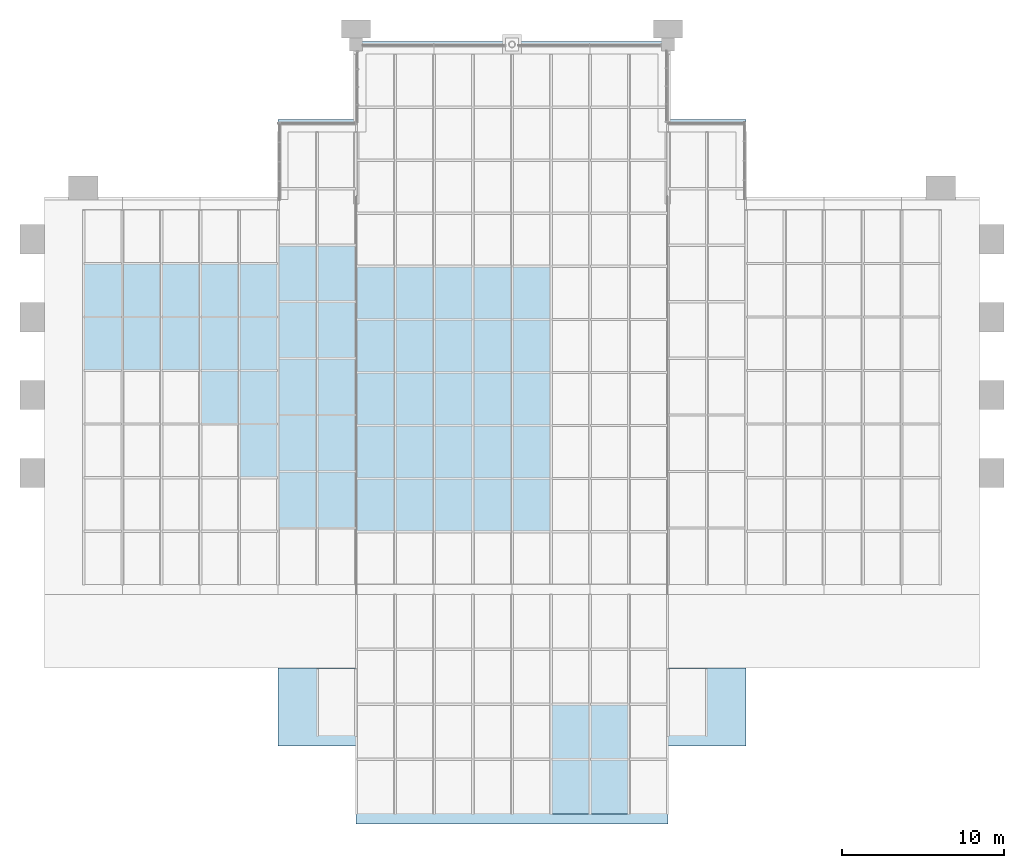
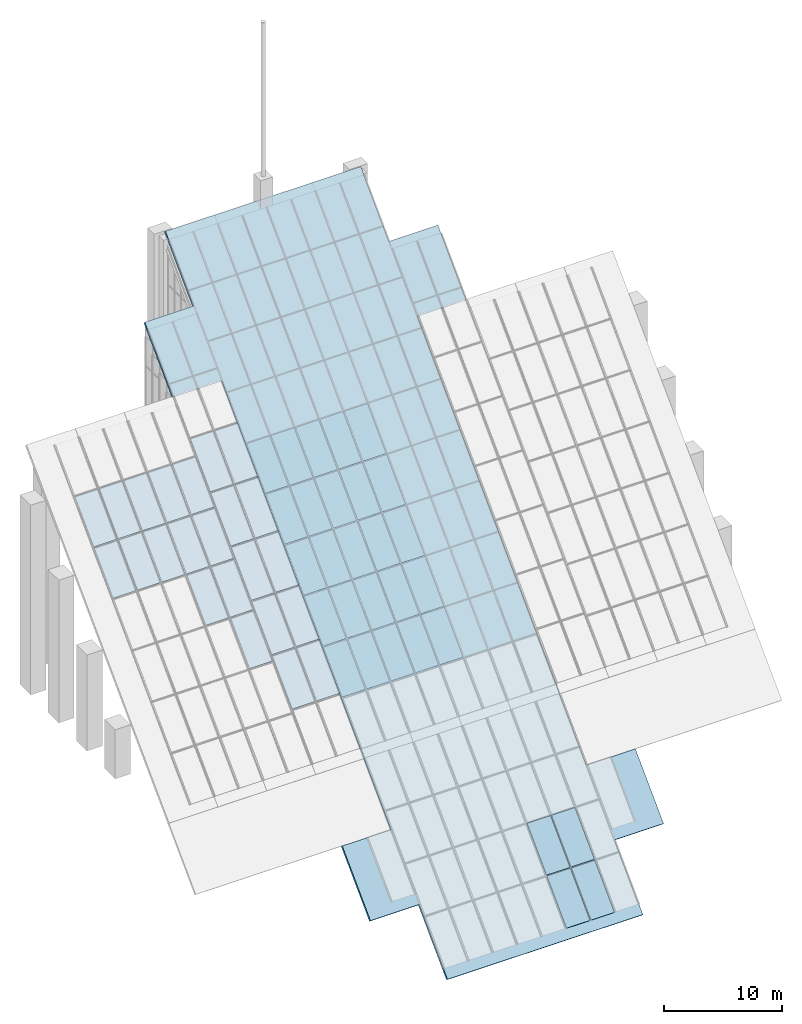
# One storey, part 18 of 25: 52 plates, 1 slab, 14 elements without a shape of their own.
"""IFC4 building model written with IfcOpenShell, lengths in metres."""

from ifc_helpers import new_model, si_unit, direction, frame, origin, place, context, subcontext, project, spatial, polyline, outline, extrude, material, layer, layer_set, type_object, element, aggregate, save


model = new_model("IFC4")

# Units and contexts
model_context = context("Model", 3, precision=1e-05, world=origin(), true_north=direction((0.0, 1.0)))
body_context = subcontext(model_context, "Body", "Model", "MODEL_VIEW")
ifc_project = project(units=[si_unit("LENGTHUNIT", "METRE"), si_unit("AREAUNIT", "SQUARE_METRE"), si_unit("VOLUMEUNIT", "CUBIC_METRE"), si_unit("PLANEANGLEUNIT", "RADIAN"), si_unit("MASSUNIT", "GRAM", prefix="KILO")], contexts=[model_context])

# Site, building, storey
site_placement = place(None, origin())
site = spatial("IfcSite", under=ifc_project, at=site_placement, CompositionType="ELEMENT")
building_placement = place(site_placement, origin())
building = spatial("IfcBuilding", under=site, at=building_placement, Name="Baori Bourse Tower", CompositionType="ELEMENT")
storey_placement = place(building_placement, frame((0.0, 0.0, 378.300048828125)))
storey = spatial("IfcBuildingStorey", under=building, at=storey_placement, Name="Roof", CompositionType="ELEMENT", Elevation=378.300048828125)

# Curtain wall, plates
ifc_material_1 = material(Name="Pale anodised aluminium", Category="aluminium")
curtain_wall_type = type_object("IfcCurtainWallType", Name="CW4 Curtain wall", PredefinedType="NOTDEFINED", material=ifc_material_1)
curtain_wall_1_placement = place(storey_placement, origin())
curtain_wall_1 = element("IfcCurtainWall", 1, at=curtain_wall_1_placement, inside=storey, type_object=curtain_wall_type, Name="Curtain wall CW4 roof glazing 1", PredefinedType="NOTDEFINED")
ifc_material_2 = material(Name="Clear glass", Category="glass")
ifc_layer_1 = layer(ifc_material_2, 0.02587890625)
ifc_layer_set_1 = layer_set([ifc_layer_1], Name="CW4 Curtain wall panel")
plate_type = type_object("IfcPlateType", Name="CW4 Curtain wall panel", PredefinedType="CURTAIN_PANEL", material=ifc_layer_set_1)
plate_1_placement = place(storey_placement, frame((2.449951171875, 27.9375, 12.990234375), z_axis=(0.0, -0.711485678109, 0.702700597585), x_axis=(1.0, 0.0, 0.0)))
plate_1 = element("IfcPlate", 2, at=plate_1_placement, type_object=plate_type, Name="Curtain wall CW4 roof glass 1.5", PredefinedType="CURTAIN_PANEL", context=body_context, shape_type="SweptSolid", body=[
    extrude(outline(polyline([(0.0, 0.0), (2.300048828125, 0.0), (2.300048828125, 4.613201169732892), (0.0, 4.613201169732892), (0.0, 0.0)])), origin(), (0.0, 0.0, -1.0), 0.02587890625),
])
plate_2_placement = place(storey_placement, frame((2.449951171875, 31.234130859375, 16.328125), z_axis=(0.0, -0.711485678109, 0.702700597585), x_axis=(1.0, 0.0, 0.0)))
plate_2 = element("IfcPlate", 3, at=plate_2_placement, type_object=plate_type, Name="Curtain wall CW4 roof glass 1.6", PredefinedType="CURTAIN_PANEL", context=body_context, shape_type="SweptSolid", body=[
    extrude(outline(polyline([(0.0, 0.0), (2.300048828125, 0.0), (2.300048828125, 4.613201169732892), (0.0, 4.613201169732892), (0.0, 0.0)])), origin(), (0.0, 0.0, -1.0), 0.02587890625),
])
aggregate(curtain_wall_1, [plate_1, plate_2])

curtain_wall_2_placement = place(storey_placement, origin())
curtain_wall_2 = element("IfcCurtainWall", 4, at=curtain_wall_2_placement, inside=storey, type_object=curtain_wall_type, Name="Curtain wall CW4 roof glazing 2", PredefinedType="NOTDEFINED")
plate_3_placement = place(storey_placement, frame((4.85009765625, 27.9375, 12.990234375), z_axis=(0.0, -0.711485678109, 0.702700597585), x_axis=(1.0, 0.0, 0.0)))
plate_3 = element("IfcPlate", 5, at=plate_3_placement, type_object=plate_type, Name="Curtain wall CW4 roof glass 2.5", PredefinedType="CURTAIN_PANEL", context=body_context, shape_type="SweptSolid", body=[
    extrude(outline(polyline([(0.0, 0.0), (2.2998046875, 0.0), (2.2998046875, 4.613201169732892), (0.0, 4.613201169732892), (0.0, 0.0)])), origin(), (0.0, 0.0, -1.0), 0.02587890625),
])
plate_4_placement = place(storey_placement, frame((4.85009765625, 31.234130859375, 16.328125), z_axis=(0.0, -0.711485678109, 0.702700597585), x_axis=(1.0, 0.0, 0.0)))
plate_4 = element("IfcPlate", 6, at=plate_4_placement, type_object=plate_type, Name="Curtain wall CW4 roof glass 2.6", PredefinedType="CURTAIN_PANEL", context=body_context, shape_type="SweptSolid", body=[
    extrude(outline(polyline([(0.0, 0.0), (2.2998046875, 0.0), (2.2998046875, 4.613201169732892), (0.0, 4.613201169732892), (0.0, 0.0)])), origin(), (0.0, 0.0, -1.0), 0.02587890625),
])
aggregate(curtain_wall_2, [plate_3, plate_4])

curtain_wall_3_placement = place(storey_placement, origin())
curtain_wall_3 = element("IfcCurtainWall", 7, at=curtain_wall_3_placement, inside=storey, type_object=curtain_wall_type, Name="Curtain wall CW4 roof glazing 3", PredefinedType="NOTDEFINED")
plate_5_placement = place(storey_placement, frame((7.25, 27.9375, 12.990234375), z_axis=(0.0, -0.711485678109, 0.702700597585), x_axis=(1.0, 0.0, 0.0)))
plate_5 = element("IfcPlate", 8, at=plate_5_placement, type_object=plate_type, Name="Curtain wall CW4 roof glass 3.5", PredefinedType="CURTAIN_PANEL", context=body_context, shape_type="SweptSolid", body=[
    extrude(outline(polyline([(0.0, 0.0), (2.300048828125, 0.0), (2.300048828125, 4.613201169732892), (0.0, 4.613201169732892), (0.0, 0.0)])), origin(), (0.0, 0.0, -1.0), 0.02587890625),
])
plate_6_placement = place(storey_placement, frame((7.25, 31.234130859375, 16.328125), z_axis=(0.0, -0.711485678109, 0.702700597585), x_axis=(1.0, 0.0, 0.0)))
plate_6 = element("IfcPlate", 9, at=plate_6_placement, type_object=plate_type, Name="Curtain wall CW4 roof glass 3.6", PredefinedType="CURTAIN_PANEL", context=body_context, shape_type="SweptSolid", body=[
    extrude(outline(polyline([(0.0, 0.0), (2.300048828125, 0.0), (2.300048828125, 4.613201169732892), (0.0, 4.613201169732892), (0.0, 0.0)])), origin(), (0.0, 0.0, -1.0), 0.02587890625),
])
aggregate(curtain_wall_3, [plate_5, plate_6])

curtain_wall_4_placement = place(storey_placement, origin())
curtain_wall_4 = element("IfcCurtainWall", 10, at=curtain_wall_4_placement, inside=storey, type_object=curtain_wall_type, Name="Curtain wall CW4 roof glazing 4", PredefinedType="NOTDEFINED")
plate_7_placement = place(storey_placement, frame((9.64990234375, 24.640869140625, 9.65234375), z_axis=(0.0, -0.711485678109, 0.702700597585), x_axis=(1.0, 0.0, 0.0)))
plate_7 = element("IfcPlate", 11, at=plate_7_placement, type_object=plate_type, Name="Curtain wall CW4 roof glass 4.4", PredefinedType="CURTAIN_PANEL", context=body_context, shape_type="SweptSolid", body=[
    extrude(outline(polyline([(0.0, 0.0), (2.300048828125, 0.0), (2.300048828125, 4.613201169732892), (0.0, 4.613201169732892), (0.0, 0.0)])), origin(), (0.0, 0.0, -1.0), 0.02587890625),
])
plate_8_placement = place(storey_placement, frame((9.64990234375, 27.9375, 12.990234375), z_axis=(0.0, -0.711485678109, 0.702700597585), x_axis=(1.0, 0.0, 0.0)))
plate_8 = element("IfcPlate", 12, at=plate_8_placement, type_object=plate_type, Name="Curtain wall CW4 roof glass 4.5", PredefinedType="CURTAIN_PANEL", context=body_context, shape_type="SweptSolid", body=[
    extrude(outline(polyline([(0.0, 0.0), (2.300048828125, 0.0), (2.300048828125, 4.613201169732892), (0.0, 4.613201169732892), (0.0, 0.0)])), origin(), (0.0, 0.0, -1.0), 0.02587890625),
])
plate_9_placement = place(storey_placement, frame((9.64990234375, 31.234130859375, 16.328125), z_axis=(0.0, -0.711485678109, 0.702700597585), x_axis=(1.0, 0.0, 0.0)))
plate_9 = element("IfcPlate", 13, at=plate_9_placement, type_object=plate_type, Name="Curtain wall CW4 roof glass 4.6", PredefinedType="CURTAIN_PANEL", context=body_context, shape_type="SweptSolid", body=[
    extrude(outline(polyline([(0.0, 0.0), (2.300048828125, 0.0), (2.300048828125, 4.613201169732892), (0.0, 4.613201169732892), (0.0, 0.0)])), origin(), (0.0, 0.0, -1.0), 0.02587890625),
])
aggregate(curtain_wall_4, [plate_7, plate_8, plate_9])

curtain_wall_5_placement = place(storey_placement, origin())
curtain_wall_5 = element("IfcCurtainWall", 14, at=curtain_wall_5_placement, inside=storey, type_object=curtain_wall_type, Name="Curtain wall CW4 roof glazing 5", PredefinedType="NOTDEFINED")
plate_10_placement = place(storey_placement, frame((12.050048828125, 21.34423828125, 6.314453125), z_axis=(0.0, -0.711485678109, 0.702700597585), x_axis=(1.0, 0.0, 0.0)))
plate_10 = element("IfcPlate", 15, at=plate_10_placement, type_object=plate_type, Name="Curtain wall CW4 roof glass 5.3", PredefinedType="CURTAIN_PANEL", context=body_context, shape_type="SweptSolid", body=[
    extrude(outline(polyline([(0.0, 0.0), (2.300048828125, 0.0), (2.300048828125, 4.613201169732892), (0.0, 4.613201169732892), (0.0, 0.0)])), origin(), (0.0, 0.0, -1.0), 0.02587890625),
])
plate_11_placement = place(storey_placement, frame((12.050048828125, 24.640869140625, 9.65234375), z_axis=(0.0, -0.711485678109, 0.702700597585), x_axis=(1.0, 0.0, 0.0)))
plate_11 = element("IfcPlate", 16, at=plate_11_placement, type_object=plate_type, Name="Curtain wall CW4 roof glass 5.4", PredefinedType="CURTAIN_PANEL", context=body_context, shape_type="SweptSolid", body=[
    extrude(outline(polyline([(0.0, 0.0), (2.300048828125, 0.0), (2.300048828125, 4.613201169732892), (0.0, 4.613201169732892), (0.0, 0.0)])), origin(), (0.0, 0.0, -1.0), 0.02587890625),
])
plate_12_placement = place(storey_placement, frame((12.050048828125, 27.9375, 12.990234375), z_axis=(0.0, -0.711485678109, 0.702700597585), x_axis=(1.0, 0.0, 0.0)))
plate_12 = element("IfcPlate", 17, at=plate_12_placement, type_object=plate_type, Name="Curtain wall CW4 roof glass 5.5", PredefinedType="CURTAIN_PANEL", context=body_context, shape_type="SweptSolid", body=[
    extrude(outline(polyline([(0.0, 0.0), (2.300048828125, 0.0), (2.300048828125, 4.613201169732892), (0.0, 4.613201169732892), (0.0, 0.0)])), origin(), (0.0, 0.0, -1.0), 0.02587890625),
])
plate_13_placement = place(storey_placement, frame((12.050048828125, 31.234130859375, 16.328125), z_axis=(0.0, -0.711485678109, 0.702700597585), x_axis=(1.0, 0.0, 0.0)))
plate_13 = element("IfcPlate", 18, at=plate_13_placement, type_object=plate_type, Name="Curtain wall CW4 roof glass 5.6", PredefinedType="CURTAIN_PANEL", context=body_context, shape_type="SweptSolid", body=[
    extrude(outline(polyline([(0.0, 0.0), (2.300048828125, 0.0), (2.300048828125, 4.613201169732892), (0.0, 4.613201169732892), (0.0, 0.0)])), origin(), (0.0, 0.0, -1.0), 0.02587890625),
])
aggregate(curtain_wall_5, [plate_10, plate_11, plate_12, plate_13])

curtain_wall_6_placement = place(storey_placement, origin())
curtain_wall_6 = element("IfcCurtainWall", 19, at=curtain_wall_6_placement, inside=storey, type_object=curtain_wall_type, Name="Curtain wall CW4 roof glazing 6", PredefinedType="NOTDEFINED")
plate_14_placement = place(storey_placement, frame((14.449951171875, 18.235595703125, 3.1669921875), z_axis=(0.0, -0.711495214068, 0.702690942277), x_axis=(1.0, 0.0, 0.0)))
plate_14 = element("IfcPlate", 20, at=plate_14_placement, type_object=plate_type, Name="Curtain wall CW4 roof glass 6.2", PredefinedType="CURTAIN_PANEL", context=body_context, shape_type="SweptSolid", body=[
    extrude(outline(polyline([(0.0, 0.0), (2.300048828125, 0.0), (2.300048828125, 4.88044338277737), (0.0, 4.88044338277737), (0.0, 0.0)])), origin(), (0.0, 0.0, -1.0), 0.02587890625),
])
plate_15_placement = place(storey_placement, frame((14.449951171875, 21.719970703125, 6.695068359375), z_axis=(0.0, -0.711470204299, 0.702716264501), x_axis=(1.0, 0.0, 0.0)))
plate_15 = element("IfcPlate", 21, at=plate_15_placement, type_object=plate_type, Name="Curtain wall CW4 roof glass 6.3", PredefinedType="CURTAIN_PANEL", context=body_context, shape_type="SweptSolid", body=[
    extrude(outline(polyline([(0.0, 0.0), (2.300048828125, 0.0), (2.300048828125, 4.880614941274346), (0.0, 4.880614941274346), (0.0, 0.0)])), origin(), (0.0, 0.0, -1.0), 0.02587890625),
])
plate_16_placement = place(storey_placement, frame((14.449951171875, 25.20458984375, 10.22314453125), z_axis=(0.0, -0.711470204299, 0.702716264501), x_axis=(1.0, 0.0, 0.0)))
plate_16 = element("IfcPlate", 22, at=plate_16_placement, type_object=plate_type, Name="Curtain wall CW4 roof glass 6.4", PredefinedType="CURTAIN_PANEL", context=body_context, shape_type="SweptSolid", body=[
    extrude(outline(polyline([(0.0, 0.0), (2.300048828125, 0.0), (2.300048828125, 4.880614941274346), (0.0, 4.880614941274346), (0.0, 0.0)])), origin(), (0.0, 0.0, -1.0), 0.02587890625),
])
plate_17_placement = place(storey_placement, frame((14.449951171875, 28.689208984375, 13.751220703125), z_axis=(0.0, -0.711470204299, 0.702716264501), x_axis=(1.0, 0.0, 0.0)))
plate_17 = element("IfcPlate", 23, at=plate_17_placement, type_object=plate_type, Name="Curtain wall CW4 roof glass 6.5", PredefinedType="CURTAIN_PANEL", context=body_context, shape_type="SweptSolid", body=[
    extrude(outline(polyline([(0.0, 0.0), (2.300048828125, 0.0), (2.300048828125, 4.880614941274346), (0.0, 4.880614941274346), (0.0, 0.0)])), origin(), (0.0, 0.0, -1.0), 0.02587890625),
])
plate_18_placement = place(storey_placement, frame((14.449951171875, 32.173828125, 17.279541015625), z_axis=(0.0, -0.711495214068, 0.702690942277), x_axis=(1.0, 0.0, 0.0)))
plate_18 = element("IfcPlate", 24, at=plate_18_placement, type_object=plate_type, Name="Curtain wall CW4 roof glass 6.6", PredefinedType="CURTAIN_PANEL", context=body_context, shape_type="SweptSolid", body=[
    extrude(outline(polyline([(0.0, 0.0), (2.300048828125, 0.0), (2.300048828125, 4.88044338277737), (0.0, 4.88044338277737), (0.0, 0.0)])), origin(), (0.0, 0.0, -1.0), 0.02587890625),
])
aggregate(curtain_wall_6, [plate_14, plate_15, plate_16, plate_17, plate_18])

curtain_wall_7_placement = place(storey_placement, origin())
curtain_wall_7 = element("IfcCurtainWall", 25, at=curtain_wall_7_placement, inside=storey, type_object=curtain_wall_type, Name="Curtain wall CW4 roof glazing 7", PredefinedType="NOTDEFINED")
plate_19_placement = place(storey_placement, frame((16.85009765625, 18.235595703125, 3.1669921875), z_axis=(0.0, -0.711495214068, 0.702690942277), x_axis=(1.0, 0.0, 0.0)))
plate_19 = element("IfcPlate", 26, at=plate_19_placement, type_object=plate_type, Name="Curtain wall CW4 roof glass 7.2", PredefinedType="CURTAIN_PANEL", context=body_context, shape_type="SweptSolid", body=[
    extrude(outline(polyline([(0.0, 0.0), (2.2998046875, 0.0), (2.2998046875, 4.88044338277737), (0.0, 4.88044338277737), (0.0, 0.0)])), origin(), (0.0, 0.0, -1.0), 0.02587890625),
])
plate_20_placement = place(storey_placement, frame((16.85009765625, 21.719970703125, 6.695068359375), z_axis=(0.0, -0.711470204299, 0.702716264501), x_axis=(1.0, 0.0, 0.0)))
plate_20 = element("IfcPlate", 27, at=plate_20_placement, type_object=plate_type, Name="Curtain wall CW4 roof glass 7.3", PredefinedType="CURTAIN_PANEL", context=body_context, shape_type="SweptSolid", body=[
    extrude(outline(polyline([(0.0, 0.0), (2.2998046875, 0.0), (2.2998046875, 4.880614941274346), (0.0, 4.880614941274346), (0.0, 0.0)])), origin(), (0.0, 0.0, -1.0), 0.02587890625),
])
plate_21_placement = place(storey_placement, frame((16.85009765625, 25.20458984375, 10.22314453125), z_axis=(0.0, -0.711470204299, 0.702716264501), x_axis=(1.0, 0.0, 0.0)))
plate_21 = element("IfcPlate", 28, at=plate_21_placement, type_object=plate_type, Name="Curtain wall CW4 roof glass 7.4", PredefinedType="CURTAIN_PANEL", context=body_context, shape_type="SweptSolid", body=[
    extrude(outline(polyline([(0.0, 0.0), (2.2998046875, 0.0), (2.2998046875, 4.880614941274346), (0.0, 4.880614941274346), (0.0, 0.0)])), origin(), (0.0, 0.0, -1.0), 0.02587890625),
])
plate_22_placement = place(storey_placement, frame((16.85009765625, 28.689208984375, 13.751220703125), z_axis=(0.0, -0.711470204299, 0.702716264501), x_axis=(1.0, 0.0, 0.0)))
plate_22 = element("IfcPlate", 29, at=plate_22_placement, type_object=plate_type, Name="Curtain wall CW4 roof glass 7.5", PredefinedType="CURTAIN_PANEL", context=body_context, shape_type="SweptSolid", body=[
    extrude(outline(polyline([(0.0, 0.0), (2.2998046875, 0.0), (2.2998046875, 4.880614941274346), (0.0, 4.880614941274346), (0.0, 0.0)])), origin(), (0.0, 0.0, -1.0), 0.02587890625),
])
plate_23_placement = place(storey_placement, frame((16.85009765625, 32.173828125, 17.279541015625), z_axis=(0.0, -0.711495214068, 0.702690942277), x_axis=(1.0, 0.0, 0.0)))
plate_23 = element("IfcPlate", 30, at=plate_23_placement, type_object=plate_type, Name="Curtain wall CW4 roof glass 7.6", PredefinedType="CURTAIN_PANEL", context=body_context, shape_type="SweptSolid", body=[
    extrude(outline(polyline([(0.0, 0.0), (2.2998046875, 0.0), (2.2998046875, 4.88044338277737), (0.0, 4.88044338277737), (0.0, 0.0)])), origin(), (0.0, 0.0, -1.0), 0.02587890625),
])
aggregate(curtain_wall_7, [plate_19, plate_20, plate_21, plate_22, plate_23])

curtain_wall_8_placement = place(storey_placement, origin())
curtain_wall_8 = element("IfcCurtainWall", 31, at=curtain_wall_8_placement, inside=storey, type_object=curtain_wall_type, Name="Curtain wall CW4 roof glazing 9", PredefinedType="NOTDEFINED")
plate_24_placement = place(storey_placement, frame((19.25, 18.0185546875, 2.86181640625), z_axis=(0.0, -0.711498538382, 0.702687576296), x_axis=(1.0, 0.0, 0.0)))
plate_24 = element("IfcPlate", 32, at=plate_24_placement, type_object=plate_type, Name="Curtain wall CW4 roof glass 9.2", PredefinedType="CURTAIN_PANEL", context=body_context, shape_type="SweptSolid", body=[
    extrude(outline(polyline([(0.0, 0.0), (2.300048828125, 0.0), (2.300048828125, 4.571941489715928), (0.0, 4.571941489715928), (0.0, 0.0)])), origin(), (0.0, 0.0, -1.0), 0.02587890625),
])
plate_25_placement = place(storey_placement, frame((19.25, 21.286376953125, 6.17041015625), z_axis=(0.0, -0.711498538382, 0.702687576296), x_axis=(1.0, 0.0, 0.0)))
plate_25 = element("IfcPlate", 33, at=plate_25_placement, type_object=plate_type, Name="Curtain wall CW4 roof glass 9.3", PredefinedType="CURTAIN_PANEL", context=body_context, shape_type="SweptSolid", body=[
    extrude(outline(polyline([(0.0, 0.0), (2.300048828125, 0.0), (2.300048828125, 4.571941489715928), (0.0, 4.571941489715928), (0.0, 0.0)])), origin(), (0.0, 0.0, -1.0), 0.02587890625),
])
plate_26_placement = place(storey_placement, frame((19.25, 24.553955078125, 9.47900390625), z_axis=(0.0, -0.711472169684, 0.702714274628), x_axis=(1.0, 0.0, 0.0)))
plate_26 = element("IfcPlate", 34, at=plate_26_placement, type_object=plate_type, Name="Curtain wall CW4 roof glass 9.4", PredefinedType="CURTAIN_PANEL", context=body_context, shape_type="SweptSolid", body=[
    extrude(outline(polyline([(0.0, 0.0), (2.300048828125, 0.0), (2.300048828125, 4.571767787236855), (0.0, 4.571767787236855), (0.0, 0.0)])), origin(), (0.0, 0.0, -1.0), 0.02587890625),
])
plate_27_placement = place(storey_placement, frame((19.25, 27.821533203125, 12.787353515625), z_axis=(0.0, -0.711498538382, 0.702687576296), x_axis=(1.0, 0.0, 0.0)))
plate_27 = element("IfcPlate", 35, at=plate_27_placement, type_object=plate_type, Name="Curtain wall CW4 roof glass 9.5", PredefinedType="CURTAIN_PANEL", context=body_context, shape_type="SweptSolid", body=[
    extrude(outline(polyline([(0.0, 0.0), (2.300048828125, 0.0), (2.300048828125, 4.571941489715928), (0.0, 4.571941489715928), (0.0, 0.0)])), origin(), (0.0, 0.0, -1.0), 0.02587890625),
])
plate_28_placement = place(storey_placement, frame((19.25, 31.089111328125, 16.095947265625), z_axis=(0.0, -0.71144547132, 0.702741304704), x_axis=(1.0, 0.0, 0.0)))
plate_28 = element("IfcPlate", 36, at=plate_28_placement, type_object=plate_type, Name="Curtain wall CW4 roof glass 9.6", PredefinedType="CURTAIN_PANEL", context=body_context, shape_type="SweptSolid", body=[
    extrude(outline(polyline([(0.0, 0.0), (2.300048828125, 0.0), (2.300048828125, 4.57193935163869), (0.0, 4.57193935163869), (0.0, 0.0)])), origin(), (0.0, 0.0, -1.0), 0.02587890625),
])
aggregate(curtain_wall_8, [plate_24, plate_25, plate_26, plate_27, plate_28])

curtain_wall_9_placement = place(storey_placement, origin())
curtain_wall_9 = element("IfcCurtainWall", 37, at=curtain_wall_9_placement, inside=storey, type_object=curtain_wall_type, Name="Curtain wall CW4 roof glazing 11", PredefinedType="NOTDEFINED")
plate_29_placement = place(storey_placement, frame((21.64990234375, 18.0185546875, 2.86181640625), z_axis=(0.0, -0.711498538382, 0.702687576296), x_axis=(1.0, 0.0, 0.0)))
plate_29 = element("IfcPlate", 38, at=plate_29_placement, type_object=plate_type, Name="Curtain wall CW4 roof glass 11.2", PredefinedType="CURTAIN_PANEL", context=body_context, shape_type="SweptSolid", body=[
    extrude(outline(polyline([(0.0, 0.0), (2.300048828125, 0.0), (2.300048828125, 4.571941489715928), (0.0, 4.571941489715928), (0.0, 0.0)])), origin(), (0.0, 0.0, -1.0), 0.02587890625),
])
plate_30_placement = place(storey_placement, frame((21.64990234375, 21.286376953125, 6.17041015625), z_axis=(0.0, -0.711498538382, 0.702687576296), x_axis=(1.0, 0.0, 0.0)))
plate_30 = element("IfcPlate", 39, at=plate_30_placement, type_object=plate_type, Name="Curtain wall CW4 roof glass 11.3", PredefinedType="CURTAIN_PANEL", context=body_context, shape_type="SweptSolid", body=[
    extrude(outline(polyline([(0.0, 0.0), (2.300048828125, 0.0), (2.300048828125, 4.571941489715928), (0.0, 4.571941489715928), (0.0, 0.0)])), origin(), (0.0, 0.0, -1.0), 0.02587890625),
])
plate_31_placement = place(storey_placement, frame((21.64990234375, 24.553955078125, 9.47900390625), z_axis=(0.0, -0.711472169684, 0.702714274628), x_axis=(1.0, 0.0, 0.0)))
plate_31 = element("IfcPlate", 40, at=plate_31_placement, type_object=plate_type, Name="Curtain wall CW4 roof glass 11.4", PredefinedType="CURTAIN_PANEL", context=body_context, shape_type="SweptSolid", body=[
    extrude(outline(polyline([(0.0, 0.0), (2.300048828125, 0.0), (2.300048828125, 4.571767787236855), (0.0, 4.571767787236855), (0.0, 0.0)])), origin(), (0.0, 0.0, -1.0), 0.02587890625),
])
plate_32_placement = place(storey_placement, frame((21.64990234375, 27.821533203125, 12.787353515625), z_axis=(0.0, -0.711498538382, 0.702687576296), x_axis=(1.0, 0.0, 0.0)))
plate_32 = element("IfcPlate", 41, at=plate_32_placement, type_object=plate_type, Name="Curtain wall CW4 roof glass 11.5", PredefinedType="CURTAIN_PANEL", context=body_context, shape_type="SweptSolid", body=[
    extrude(outline(polyline([(0.0, 0.0), (2.300048828125, 0.0), (2.300048828125, 4.571941489715928), (0.0, 4.571941489715928), (0.0, 0.0)])), origin(), (0.0, 0.0, -1.0), 0.02587890625),
])
plate_33_placement = place(storey_placement, frame((21.64990234375, 31.089111328125, 16.095947265625), z_axis=(0.0, -0.71144547132, 0.702741304704), x_axis=(1.0, 0.0, 0.0)))
plate_33 = element("IfcPlate", 42, at=plate_33_placement, type_object=plate_type, Name="Curtain wall CW4 roof glass 11.6", PredefinedType="CURTAIN_PANEL", context=body_context, shape_type="SweptSolid", body=[
    extrude(outline(polyline([(0.0, 0.0), (2.300048828125, 0.0), (2.300048828125, 4.57193935163869), (0.0, 4.57193935163869), (0.0, 0.0)])), origin(), (0.0, 0.0, -1.0), 0.02587890625),
])
aggregate(curtain_wall_9, [plate_29, plate_30, plate_31, plate_32, plate_33])

curtain_wall_10_placement = place(storey_placement, origin())
curtain_wall_10 = element("IfcCurtainWall", 43, at=curtain_wall_10_placement, inside=storey, type_object=curtain_wall_type, Name="Curtain wall CW4 roof glazing 13", PredefinedType="NOTDEFINED")
plate_34_placement = place(storey_placement, frame((24.050048828125, 18.0185546875, 2.86181640625), z_axis=(0.0, -0.711498538382, 0.702687576296), x_axis=(1.0, 0.0, 0.0)))
plate_34 = element("IfcPlate", 44, at=plate_34_placement, type_object=plate_type, Name="Curtain wall CW4 roof glass 13.2", PredefinedType="CURTAIN_PANEL", context=body_context, shape_type="SweptSolid", body=[
    extrude(outline(polyline([(0.0, 0.0), (2.300048828125, 0.0), (2.300048828125, 4.571941489715928), (0.0, 4.571941489715928), (0.0, 0.0)])), origin(), (0.0, 0.0, -1.0), 0.02587890625),
])
plate_35_placement = place(storey_placement, frame((24.050048828125, 21.286376953125, 6.17041015625), z_axis=(0.0, -0.711498538382, 0.702687576296), x_axis=(1.0, 0.0, 0.0)))
plate_35 = element("IfcPlate", 45, at=plate_35_placement, type_object=plate_type, Name="Curtain wall CW4 roof glass 13.3", PredefinedType="CURTAIN_PANEL", context=body_context, shape_type="SweptSolid", body=[
    extrude(outline(polyline([(0.0, 0.0), (2.300048828125, 0.0), (2.300048828125, 4.571941489715928), (0.0, 4.571941489715928), (0.0, 0.0)])), origin(), (0.0, 0.0, -1.0), 0.02587890625),
])
plate_36_placement = place(storey_placement, frame((24.050048828125, 24.553955078125, 9.47900390625), z_axis=(0.0, -0.711472169684, 0.702714274628), x_axis=(1.0, 0.0, 0.0)))
plate_36 = element("IfcPlate", 46, at=plate_36_placement, type_object=plate_type, Name="Curtain wall CW4 roof glass 13.4", PredefinedType="CURTAIN_PANEL", context=body_context, shape_type="SweptSolid", body=[
    extrude(outline(polyline([(0.0, 0.0), (2.300048828125, 0.0), (2.300048828125, 4.571767787236855), (0.0, 4.571767787236855), (0.0, 0.0)])), origin(), (0.0, 0.0, -1.0), 0.02587890625),
])
plate_37_placement = place(storey_placement, frame((24.050048828125, 27.821533203125, 12.787353515625), z_axis=(0.0, -0.711498538382, 0.702687576296), x_axis=(1.0, 0.0, 0.0)))
plate_37 = element("IfcPlate", 47, at=plate_37_placement, type_object=plate_type, Name="Curtain wall CW4 roof glass 13.5", PredefinedType="CURTAIN_PANEL", context=body_context, shape_type="SweptSolid", body=[
    extrude(outline(polyline([(0.0, 0.0), (2.300048828125, 0.0), (2.300048828125, 4.571941489715928), (0.0, 4.571941489715928), (0.0, 0.0)])), origin(), (0.0, 0.0, -1.0), 0.02587890625),
])
plate_38_placement = place(storey_placement, frame((24.050048828125, 31.089111328125, 16.095947265625), z_axis=(0.0, -0.71144547132, 0.702741304704), x_axis=(1.0, 0.0, 0.0)))
plate_38 = element("IfcPlate", 48, at=plate_38_placement, type_object=plate_type, Name="Curtain wall CW4 roof glass 13.6", PredefinedType="CURTAIN_PANEL", context=body_context, shape_type="SweptSolid", body=[
    extrude(outline(polyline([(0.0, 0.0), (2.300048828125, 0.0), (2.300048828125, 4.57193935163869), (0.0, 4.57193935163869), (0.0, 0.0)])), origin(), (0.0, 0.0, -1.0), 0.02587890625),
])
aggregate(curtain_wall_10, [plate_34, plate_35, plate_36, plate_37, plate_38])

curtain_wall_11_placement = place(storey_placement, origin())
curtain_wall_11 = element("IfcCurtainWall", 49, at=curtain_wall_11_placement, inside=storey, type_object=curtain_wall_type, Name="Curtain wall CW4 roof glazing 15", PredefinedType="NOTDEFINED")
plate_39_placement = place(storey_placement, frame((26.449951171875, 18.0185546875, 2.86181640625), z_axis=(0.0, -0.711498538382, 0.702687576296), x_axis=(1.0, 0.0, 0.0)))
plate_39 = element("IfcPlate", 50, at=plate_39_placement, type_object=plate_type, Name="Curtain wall CW4 roof glass 15.2", PredefinedType="CURTAIN_PANEL", context=body_context, shape_type="SweptSolid", body=[
    extrude(outline(polyline([(0.0, 0.0), (2.300048828125, 0.0), (2.300048828125, 4.571941489715928), (0.0, 4.571941489715928), (0.0, 0.0)])), origin(), (0.0, 0.0, -1.0), 0.02587890625),
])
plate_40_placement = place(storey_placement, frame((26.449951171875, 21.286376953125, 6.17041015625), z_axis=(0.0, -0.711498538382, 0.702687576296), x_axis=(1.0, 0.0, 0.0)))
plate_40 = element("IfcPlate", 51, at=plate_40_placement, type_object=plate_type, Name="Curtain wall CW4 roof glass 15.3", PredefinedType="CURTAIN_PANEL", context=body_context, shape_type="SweptSolid", body=[
    extrude(outline(polyline([(0.0, 0.0), (2.300048828125, 0.0), (2.300048828125, 4.571941489715928), (0.0, 4.571941489715928), (0.0, 0.0)])), origin(), (0.0, 0.0, -1.0), 0.02587890625),
])
plate_41_placement = place(storey_placement, frame((26.449951171875, 24.553955078125, 9.47900390625), z_axis=(0.0, -0.711472169684, 0.702714274628), x_axis=(1.0, 0.0, 0.0)))
plate_41 = element("IfcPlate", 52, at=plate_41_placement, type_object=plate_type, Name="Curtain wall CW4 roof glass 15.4", PredefinedType="CURTAIN_PANEL", context=body_context, shape_type="SweptSolid", body=[
    extrude(outline(polyline([(0.0, 0.0), (2.300048828125, 0.0), (2.300048828125, 4.571767787236855), (0.0, 4.571767787236855), (0.0, 0.0)])), origin(), (0.0, 0.0, -1.0), 0.02587890625),
])
plate_42_placement = place(storey_placement, frame((26.449951171875, 27.821533203125, 12.787353515625), z_axis=(0.0, -0.711498538382, 0.702687576296), x_axis=(1.0, 0.0, 0.0)))
plate_42 = element("IfcPlate", 53, at=plate_42_placement, type_object=plate_type, Name="Curtain wall CW4 roof glass 15.5", PredefinedType="CURTAIN_PANEL", context=body_context, shape_type="SweptSolid", body=[
    extrude(outline(polyline([(0.0, 0.0), (2.300048828125, 0.0), (2.300048828125, 4.571941489715928), (0.0, 4.571941489715928), (0.0, 0.0)])), origin(), (0.0, 0.0, -1.0), 0.02587890625),
])
plate_43_placement = place(storey_placement, frame((26.449951171875, 31.089111328125, 16.095947265625), z_axis=(0.0, -0.71144547132, 0.702741304704), x_axis=(1.0, 0.0, 0.0)))
plate_43 = element("IfcPlate", 54, at=plate_43_placement, type_object=plate_type, Name="Curtain wall CW4 roof glass 15.6", PredefinedType="CURTAIN_PANEL", context=body_context, shape_type="SweptSolid", body=[
    extrude(outline(polyline([(0.0, 0.0), (2.300048828125, 0.0), (2.300048828125, 4.57193935163869), (0.0, 4.57193935163869), (0.0, 0.0)])), origin(), (0.0, 0.0, -1.0), 0.02587890625),
])
aggregate(curtain_wall_11, [plate_39, plate_40, plate_41, plate_42, plate_43])

curtain_wall_12_placement = place(storey_placement, origin())
curtain_wall_12 = element("IfcCurtainWall", 55, at=curtain_wall_12_placement, inside=storey, type_object=curtain_wall_type, Name="Curtain wall CW4 roof glazing 17", PredefinedType="NOTDEFINED")
plate_44_placement = place(storey_placement, frame((28.85009765625, 18.0185546875, 2.86181640625), z_axis=(0.0, -0.711498538382, 0.702687576296), x_axis=(1.0, 0.0, 0.0)))
plate_44 = element("IfcPlate", 56, at=plate_44_placement, type_object=plate_type, Name="Curtain wall CW4 roof glass 17.2", PredefinedType="CURTAIN_PANEL", context=body_context, shape_type="SweptSolid", body=[
    extrude(outline(polyline([(0.0, 0.0), (2.2998046875, 0.0), (2.2998046875, 4.571941489715927), (0.0, 4.571941489715927), (0.0, 0.0)])), origin(), (0.0, 0.0, -1.0), 0.02587890625),
])
plate_45_placement = place(storey_placement, frame((28.85009765625, 21.286376953125, 6.17041015625), z_axis=(0.0, -0.711498538382, 0.702687576296), x_axis=(1.0, 0.0, 0.0)))
plate_45 = element("IfcPlate", 57, at=plate_45_placement, type_object=plate_type, Name="Curtain wall CW4 roof glass 17.3", PredefinedType="CURTAIN_PANEL", context=body_context, shape_type="SweptSolid", body=[
    extrude(outline(polyline([(0.0, 0.0), (2.2998046875, 0.0), (2.2998046875, 4.571941489715927), (0.0, 4.571941489715927), (0.0, 0.0)])), origin(), (0.0, 0.0, -1.0), 0.02587890625),
])
plate_46_placement = place(storey_placement, frame((28.85009765625, 24.553955078125, 9.47900390625), z_axis=(0.0, -0.711472169684, 0.702714274628), x_axis=(1.0, 0.0, 0.0)))
plate_46 = element("IfcPlate", 58, at=plate_46_placement, type_object=plate_type, Name="Curtain wall CW4 roof glass 17.4", PredefinedType="CURTAIN_PANEL", context=body_context, shape_type="SweptSolid", body=[
    extrude(outline(polyline([(0.0, 0.0), (2.2998046875, 0.0), (2.2998046875, 4.571767787236855), (0.0, 4.571767787236855), (0.0, 0.0)])), origin(), (0.0, 0.0, -1.0), 0.02587890625),
])
plate_47_placement = place(storey_placement, frame((28.85009765625, 27.821533203125, 12.787353515625), z_axis=(0.0, -0.711498538382, 0.702687576296), x_axis=(1.0, 0.0, 0.0)))
plate_47 = element("IfcPlate", 59, at=plate_47_placement, type_object=plate_type, Name="Curtain wall CW4 roof glass 17.5", PredefinedType="CURTAIN_PANEL", context=body_context, shape_type="SweptSolid", body=[
    extrude(outline(polyline([(0.0, 0.0), (2.2998046875, 0.0), (2.2998046875, 4.571941489715927), (0.0, 4.571941489715927), (0.0, 0.0)])), origin(), (0.0, 0.0, -1.0), 0.02587890625),
])
plate_48_placement = place(storey_placement, frame((28.85009765625, 31.089111328125, 16.095947265625), z_axis=(0.0, -0.71144547132, 0.702741304704), x_axis=(1.0, 0.0, 0.0)))
plate_48 = element("IfcPlate", 60, at=plate_48_placement, type_object=plate_type, Name="Curtain wall CW4 roof glass 17.6", PredefinedType="CURTAIN_PANEL", context=body_context, shape_type="SweptSolid", body=[
    extrude(outline(polyline([(0.0, 0.0), (2.2998046875, 0.0), (2.2998046875, 4.57193935163869), (0.0, 4.57193935163869), (0.0, 0.0)])), origin(), (0.0, 0.0, -1.0), 0.02587890625),
])
aggregate(curtain_wall_12, [plate_44, plate_45, plate_46, plate_47, plate_48])

curtain_wall_13_placement = place(storey_placement, origin())
curtain_wall_13 = element("IfcCurtainWall", 61, at=curtain_wall_13_placement, inside=storey, type_object=curtain_wall_type, Name="Curtain wall CW4 roof glazing 20", PredefinedType="NOTDEFINED")
plate_49_placement = place(storey_placement, frame((31.25, 0.60009765625, -14.7744140625), z_axis=(0.0, -0.711492602999, 0.702693586051), x_axis=(1.0, 0.0, 0.0)))
plate_49 = element("IfcPlate", 62, at=plate_49_placement, type_object=plate_type, Name="Curtain wall CW4 roof glass 20.1", PredefinedType="CURTAIN_PANEL", context=body_context, shape_type="SweptSolid", body=[
    extrude(outline(polyline([(0.0, 0.0), (2.300048828125, 0.0), (2.300048828125, 4.772372612429553), (0.0, 4.772372612429553), (0.0, 0.0)])), origin(), (0.0, 0.0, -1.0), 0.02587890625),
])
plate_50_placement = place(storey_placement, frame((31.25, 4.008544921875, -11.3232421875), z_axis=(0.0, -0.711477384049, 0.702708995236), x_axis=(1.0, 0.0, 0.0)))
plate_50 = element("IfcPlate", 63, at=plate_50_placement, type_object=plate_type, Name="Curtain wall CW4 roof glass 20.2", PredefinedType="CURTAIN_PANEL", context=body_context, shape_type="SweptSolid", body=[
    extrude(outline(polyline([(0.0, 0.0), (2.300048828125, 0.0), (2.300048828125, 4.733356051435262), (0.0, 4.733356051435262), (0.0, 0.0)])), origin(), (0.0, 0.0, -1.0), 0.02587890625),
])
aggregate(curtain_wall_13, [plate_49, plate_50])

curtain_wall_14_placement = place(storey_placement, origin())
curtain_wall_14 = element("IfcCurtainWall", 64, at=curtain_wall_14_placement, inside=storey, type_object=curtain_wall_type, Name="Curtain wall CW4 roof glazing 22", PredefinedType="NOTDEFINED")
plate_51_placement = place(storey_placement, frame((33.64990234375, 0.60009765625, -14.7744140625), z_axis=(0.0, -0.711492602999, 0.702693586051), x_axis=(1.0, 0.0, 0.0)))
plate_51 = element("IfcPlate", 65, at=plate_51_placement, type_object=plate_type, Name="Curtain wall CW4 roof glass 22.1", PredefinedType="CURTAIN_PANEL", context=body_context, shape_type="SweptSolid", body=[
    extrude(outline(polyline([(0.0, 0.0), (2.300048828125, 0.0), (2.300048828125, 4.772372612429553), (0.0, 4.772372612429553), (0.0, 0.0)])), origin(), (0.0, 0.0, -1.0), 0.02587890625),
])
plate_52_placement = place(storey_placement, frame((33.64990234375, 4.008544921875, -11.3232421875), z_axis=(0.0, -0.711477384049, 0.702708995236), x_axis=(1.0, 0.0, 0.0)))
plate_52 = element("IfcPlate", 66, at=plate_52_placement, type_object=plate_type, Name="Curtain wall CW4 roof glass 22.2", PredefinedType="CURTAIN_PANEL", context=body_context, shape_type="SweptSolid", body=[
    extrude(outline(polyline([(0.0, 0.0), (2.300048828125, 0.0), (2.300048828125, 4.733356051435262), (0.0, 4.733356051435262), (0.0, 0.0)])), origin(), (0.0, 0.0, -1.0), 0.02587890625),
])
aggregate(curtain_wall_14, [plate_51, plate_52])

# Slab
ifc_material_3 = material(Name="Concrete f'c 40 MPa", Category="concrete")
ifc_layer_2 = layer(ifc_material_3, 0.25)
ifc_layer_set_2 = layer_set([ifc_layer_2], Name="Roof slab 250")
slab_type = type_object("IfcSlabType", Name="Roof slab 250", PredefinedType="ROOF", material=ifc_layer_set_2)
slab_placement = place(storey_placement, frame((19.199951171875, 43.199951171875, 28.239990234375), z_axis=(0.0, -0.711484443202, 0.702701847928), x_axis=(0.0, 0.702701847928, 0.711484443202)))
element("IfcSlab", 67, at=slab_placement, inside=storey, type_object=slab_type, Name="Roof slab Roof", PredefinedType="ROOF", context=body_context, shape_type="SweptSolid", body=[
    extrude(outline(polyline([(0.0, 0.0), (6.830720302366458, 0.0), (6.830720302366458, -19.199951171875), (0.0, -19.199951171875), (0.0, -24.0), (-6.8308940046231, -24.0), (-6.8308940046231, -19.199951171875), (-47.81539380945509, -19.199951171875), (-47.81539380945509, -24.0), (-54.64628781407819, -24.0), (-54.64628781407819, -19.199951171875), (-61.47700811644465, -19.199951171875), (-61.47700811644465, 0.0), (-54.64628781407819, 0.0), (-54.64628781407819, 4.800048828125), (-47.81539380945509, 4.800048828125), (-47.81539380945509, 0.0), (-6.8308940046231, 0.0), (-6.8308940046231, 4.800048828125), (0.0, 4.800048828125), (0.0, 0.0)])), origin(), (0.0, 0.0, -1.0), 0.25),
])

save(model, "model.ifc")
